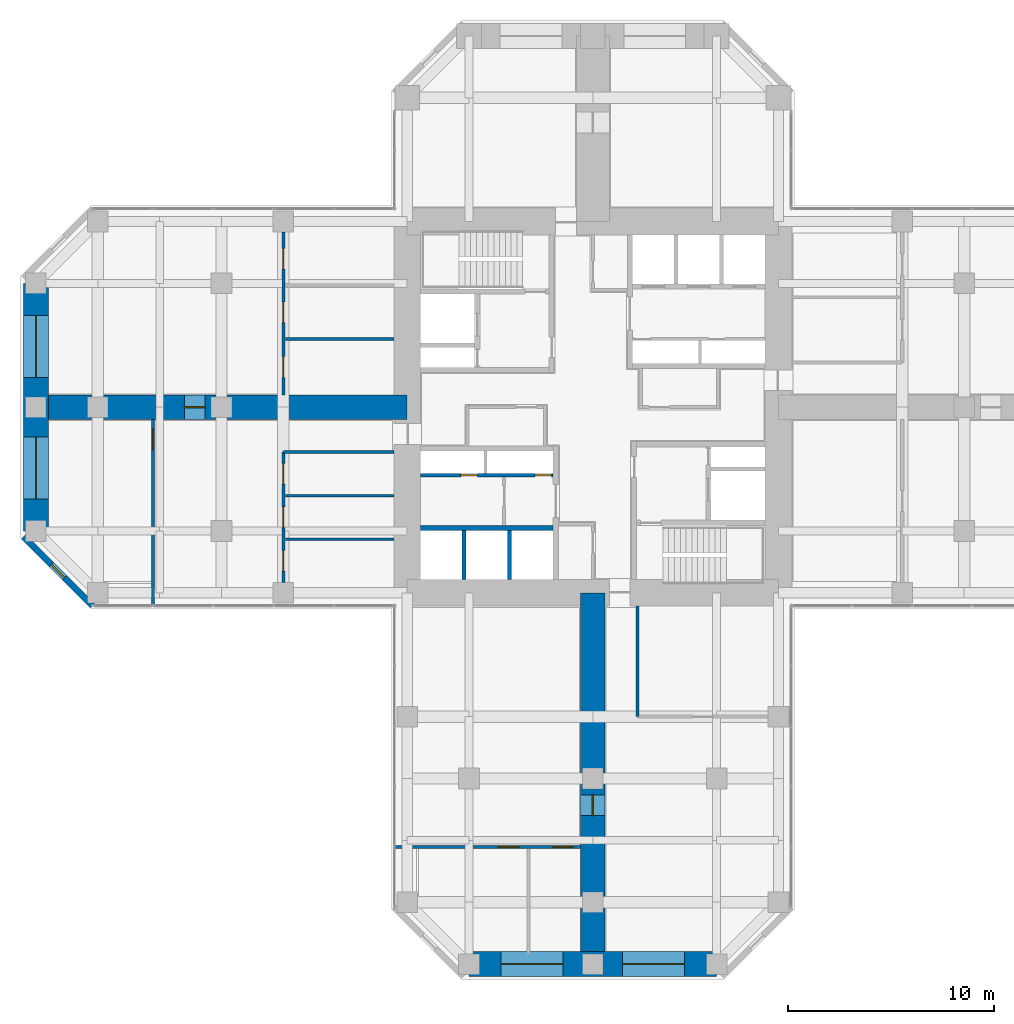
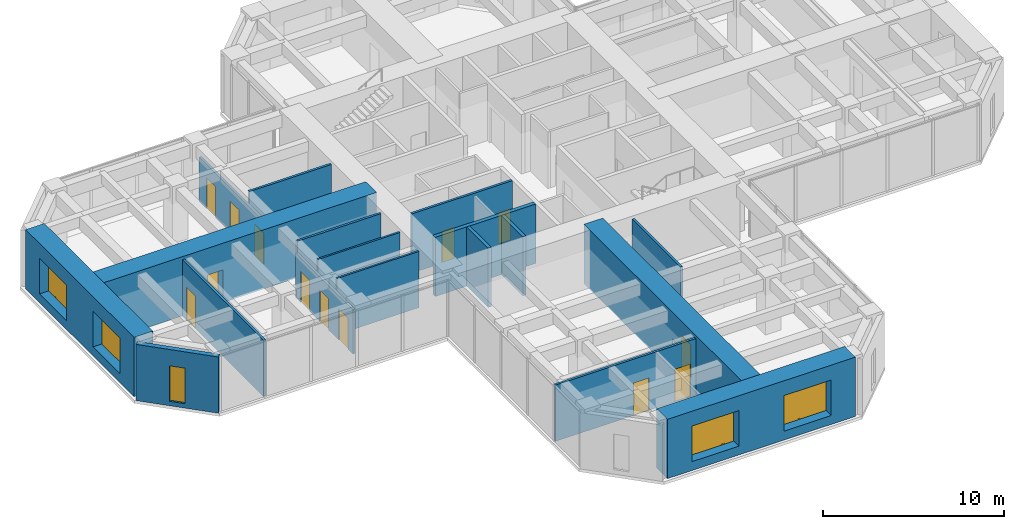
# One storey, part 8 of 12: 18 walls, 13 doors, 5 windows, 18 openings.
"""IFC4 building model written with IfcOpenShell, lengths in metres."""

import ifcopenshell
import ifcopenshell.guid

model = None  # the IFC model being written
_history = None  # IfcOwnerHistory: only IFC2X3 demands one
_inside = {}  # id of a spatial element -> (the spatial element, [elements in it])
_under = {}  # id of a project, library or spatial element -> (it, [spatial elements below it])
_declared = {}  # id of a project -> (the project, [libraries it declares])
_typed = {}  # id of a type object -> (the type object, [elements of that type])
_made_of = {}  # id of a material, layer set ... -> (it, [elements and type objects made of it])


def new_model(schema):
    """Start an empty IFC model of exactly this schema.

    Asked for "IFC4X3", IfcOpenShell would pick the latest addendum, in which some entities
    have other attributes; the version numbers below select the first issue.
    IFC2X3 requires an IfcOwnerHistory on every rooted entity: one is made here for all.
    """
    global model, _history
    if schema == "IFC4X3":
        model = ifcopenshell.file(schema_version=(4, 3, 0, 0))
    else:
        model = ifcopenshell.file(schema=schema)
    _inside.clear()
    _under.clear()
    _declared.clear()
    _typed.clear()
    _made_of.clear()
    _history = None
    if model.schema == "IFC2X3":
        org = make("IfcOrganization", Name="unknown")
        user = make(
            "IfcPersonAndOrganization",
            ThePerson=make("IfcPerson", FamilyName="unknown"),
            TheOrganization=org,
        )
        app = make(
            "IfcApplication",
            ApplicationDeveloper=org,
            Version="unknown",
            ApplicationFullName="unknown",
            ApplicationIdentifier="unknown",
        )
        _history = make(
            "IfcOwnerHistory",
            OwningUser=user,
            OwningApplication=app,
            ChangeAction="ADDED",
            CreationDate=0,
        )
    return model


def make(cls, **values):
    """One entity of the class cls with the attributes given. An attribute that is None is left unset."""
    return model.create_entity(
        cls, **{name: value for name, value in values.items() if value is not None}
    )


def rooted(cls, **values):
    """An entity with a GlobalId (a new one), such as an element, a storey or a relation."""
    return make(cls, GlobalId=ifcopenshell.guid.new(), OwnerHistory=_history, **values)


def si_unit(unit_type, name, prefix=None):
    """IfcSIUnit, for example si_unit("LENGTHUNIT", "METRE", prefix="MILLI")."""
    return make("IfcSIUnit", UnitType=unit_type, Prefix=prefix, Name=name)


def assignment(units):
    """IfcUnitAssignment: the units of a project."""
    return None if units is None else make("IfcUnitAssignment", Units=units)


def point(xyz):
    """IfcCartesianPoint."""
    return None if xyz is None else make("IfcCartesianPoint", Coordinates=xyz)


def direction(xyz):
    """IfcDirection."""
    return None if xyz is None else make("IfcDirection", DirectionRatios=xyz)


def frame(location, z_axis=None, x_axis=None):
    """IfcAxis2Placement3D, a coordinate frame: its origin and axes. An axis left out is left unset."""
    return make(
        "IfcAxis2Placement3D",
        Location=point(location),
        Axis=direction(z_axis),
        RefDirection=direction(x_axis),
    )


def frame_2d(location, x_axis=None):
    """IfcAxis2Placement2D, a coordinate frame in the plane: its origin and x axis."""
    return make(
        "IfcAxis2Placement2D", Location=point(location), RefDirection=direction(x_axis)
    )


def origin():
    """The frame at (0, 0, 0) with its axes left unset."""
    return frame((0.0, 0.0, 0.0))


def place(relative_to, where):
    """IfcLocalPlacement: puts the frame where relative to a parent placement (None: the world)."""
    return make(
        "IfcLocalPlacement", PlacementRelTo=relative_to, RelativePlacement=where
    )


def context(
    kind, dimensions, precision=None, world=None, true_north=None, identifier=None
):
    """IfcGeometricRepresentationContext, for example the 3D "Model" context."""
    return make(
        "IfcGeometricRepresentationContext",
        ContextIdentifier=identifier,
        ContextType=kind,
        CoordinateSpaceDimension=dimensions,
        Precision=precision,
        WorldCoordinateSystem=world,
        TrueNorth=true_north,
    )


def subcontext(parent, identifier, kind, view, scale=None):
    """IfcGeometricRepresentationSubContext, for example "Body" below "Model"."""
    return make(
        "IfcGeometricRepresentationSubContext",
        ContextIdentifier=identifier,
        ContextType=kind,
        ParentContext=parent,
        TargetScale=scale,
        TargetView=view,
    )


def project(units=None, contexts=None):
    """IfcProject with its units and contexts."""
    return rooted(
        "IfcProject",
        Name="project",
        RepresentationContexts=contexts,
        UnitsInContext=assignment(units),
    )


def spatial(cls, under=None, at=None, **own):
    """A site, building, storey or space (cls), placed at a placement, below another one or the project."""
    s = rooted(cls, ObjectPlacement=at, **own)
    if under is not None:
        _under.setdefault(under.id(), (under, []))[1].append(s)
    return s


def profile(cls, at=None, kind="AREA", **sizes):
    """A parametric profile (cls). Its sizes go by their IFC names, for example OverallWidth=200.0."""
    return make(cls, ProfileType=kind, Position=at, **sizes)


def rectangle(**sizes):
    """IfcRectangleProfileDef."""
    return profile("IfcRectangleProfileDef", **sizes)


def hollow_rectangle(**sizes):
    """IfcRectangleHollowProfileDef."""
    return profile("IfcRectangleHollowProfileDef", **sizes)


def extrude(swept, where, along, depth):
    """IfcExtrudedAreaSolid: the profile swept, set in the frame where, extruded along a direction by depth."""
    return make(
        "IfcExtrudedAreaSolid",
        SweptArea=swept,
        Position=where,
        ExtrudedDirection=direction(along),
        Depth=depth,
    )


def shape(context_of_items, identifier, shape_type, items):
    """IfcShapeRepresentation: the items that make up one representation, for example the "Body"."""
    return make(
        "IfcShapeRepresentation",
        ContextOfItems=context_of_items,
        RepresentationIdentifier=identifier,
        RepresentationType=shape_type,
        Items=items,
    )


def material(Name=None, Category=None):
    """IfcMaterial."""
    return make("IfcMaterial", Name=Name, Category=Category)


def layer(
    of_material, thickness, ventilated=None, Name=None, Category=None, Priority=None
):
    """IfcMaterialLayer: one layer of a wall or slab, of a material (None: an air gap)."""
    return make(
        "IfcMaterialLayer",
        Material=of_material,
        LayerThickness=thickness,
        IsVentilated=ventilated,
        Name=Name,
        Category=Category,
        Priority=Priority,
    )


def layer_set(layers, Name=None):
    """IfcMaterialLayerSet."""
    return make("IfcMaterialLayerSet", MaterialLayers=layers, LayerSetName=Name)


def constituent(of_material, Name=None, Category=None, fraction=None):
    """IfcMaterialConstituent: one of the materials an element consists of."""
    return make(
        "IfcMaterialConstituent",
        Name=Name,
        Material=of_material,
        Fraction=fraction,
        Category=Category,
    )


def constituent_set(constituents=None, Name=None):
    """IfcMaterialConstituentSet."""
    return make(
        "IfcMaterialConstituentSet", Name=Name, MaterialConstituents=constituents
    )


def made_of(thing, what):
    """Note that an element or type object is made of a material, layer set ...; save() writes the relation."""
    if what is not None:
        _made_of.setdefault(what.id(), (what, []))[1].append(thing)
    return thing


def type_object(cls, material=None, **own):
    """A type object (cls), such as IfcWallType, which elements share."""
    return made_of(rooted(cls, **own), material)


def element(
    cls,
    number,
    at=None,
    inside=None,
    cuts=None,
    type_object=None,
    material=None,
    context=None,
    identifier="Body",
    shape_type=None,
    held_by="IfcProductDefinitionShape",
    body=None,
    shapes=None,
    **own,
):
    """One element of the class cls, such as IfcWall. Its Tag is "e" and its number.

    at: its placement. inside: the storey or other place that contains it. cuts: it is an
    opening in that element (IfcRelVoidsElement). A single representation is given by context,
    identifier, shape_type and body (its items); several are given by shapes. held_by: the class
    of the entity that holds the representations. save() writes the other relations.
    """
    e = rooted(cls, Tag="e%d" % number, ObjectPlacement=at, **own)
    if body is not None:
        shapes = [shape(context, identifier, shape_type, body)]
    if shapes is not None:
        e.Representation = make(held_by, Representations=shapes)
    if inside is not None:
        _inside.setdefault(inside.id(), (inside, []))[1].append(e)
    if cuts is not None:
        rooted(
            "IfcRelVoidsElement", RelatingBuildingElement=cuts, RelatedOpeningElement=e
        )
    if type_object is not None:
        _typed.setdefault(type_object.id(), (type_object, []))[1].append(e)
    return made_of(e, material)


def fill(opening, filler):
    """IfcRelFillsElement: the door or window that sits in an opening."""
    return rooted(
        "IfcRelFillsElement",
        RelatingOpeningElement=opening,
        RelatedBuildingElement=filler,
    )


def aggregate(whole, parts):
    """IfcRelAggregates: a whole, such as a stair, and the parts it consists of."""
    return rooted("IfcRelAggregates", RelatingObject=whole, RelatedObjects=parts)


def save(model, path):
    """Write the relations noted so far, then the file.

    IfcRelAggregates (storeys below a building ...), IfcRelContainedInSpatialStructure (elements
    in a storey), IfcRelDefinesByType, IfcRelAssociatesMaterial and IfcRelDeclares: one each for
    every whole, place, type object, material and project.
    """
    for whole, parts in _under.values():
        aggregate(whole, parts)
    for where, things in _inside.values():
        rooted(
            "IfcRelContainedInSpatialStructure",
            RelatedElements=things,
            RelatingStructure=where,
        )
    for kind, things in _typed.values():
        rooted("IfcRelDefinesByType", RelatedObjects=things, RelatingType=kind)
    for what, things in _made_of.values():
        rooted("IfcRelAssociatesMaterial", RelatedObjects=things, RelatingMaterial=what)
    for by, libraries in _declared.values():
        rooted("IfcRelDeclares", RelatingContext=by, RelatedDefinitions=libraries)
    model.write(path)


model = new_model("IFC4")

# Units and contexts
model_context = context("Model", 3, precision=1e-05, world=origin(), true_north=direction((0.0, 1.0)))
body_context = subcontext(model_context, "Body", "Model", "MODEL_VIEW")
ifc_project = project(units=[si_unit("LENGTHUNIT", "METRE"), si_unit("AREAUNIT", "SQUARE_METRE"), si_unit("VOLUMEUNIT", "CUBIC_METRE"), si_unit("PLANEANGLEUNIT", "RADIAN"), si_unit("MASSUNIT", "GRAM", prefix="KILO")], contexts=[model_context])

# Site, building, storey
site_placement = place(None, origin())
site = spatial("IfcSite", under=ifc_project, at=site_placement, CompositionType="ELEMENT")
building_placement = place(site_placement, origin())
building = spatial("IfcBuilding", under=site, at=building_placement, Name="Torre Cruceta", CompositionType="ELEMENT")
storey_placement = place(building_placement, frame((0.0, 0.0, 104.5)))
storey = spatial("IfcBuildingStorey", under=building, at=storey_placement, Name="L25", CompositionType="ELEMENT", Elevation=104.5)

# Wall
ifc_material_1 = material(Name="Concrete G60 (fck 60 MPa)", Category="concrete")
ifc_layer_1 = layer(ifc_material_1, 0.25)
ifc_layer_set_1 = layer_set([ifc_layer_1], Name="Concrete G60 (fck 60 MPa)")
wall_type_1 = type_object("IfcWallType", Name="CORE INNER WALL 250 G60", PredefinedType="SHEAR", material=ifc_layer_set_1)
wall_1_placement = place(storey_placement, frame((-1.925048828125, -5.85009765625, 0.0), z_axis=(0.0, 0.0, 1.0), x_axis=(-1.0, 0.0, 0.0)))
element("IfcWall", 1, at=wall_1_placement, inside=storey, type_object=wall_type_1, Name="CW4 L25 SW-LV", PredefinedType="SHEAR", context=body_context, shape_type="SweptSolid", body=[
    extrude(rectangle(XDim=6.425048828125, YDim=0.25, at=frame_2d((3.21240234375, 0.0))), origin(), (0.0, 0.0, 1.0), 4.0),
])

# Wall, opening, window
ifc_material_2 = material(Name="Concrete G30 (fck 30 MPa)", Category="concrete")
ifc_layer_2 = layer(ifc_material_2, 0.300048828125)
ifc_layer_set_2 = layer_set([ifc_layer_2], Name="Concrete G30 (fck 30 MPa)")
wall_type_2 = type_object("IfcWallType", Name="EXPOSED CONCRETE FACADE WALL 300", PredefinedType="SOLIDWALL", material=ifc_layer_set_2)
wall_2_placement = place(storey_placement, frame((-27.60009765625, -6.27685546875, 0.0), z_axis=(0.0, 0.0, 1.0), x_axis=(0.707106781187, -0.707106781187, 0.0)))
wall_2 = element("IfcWall", 2, at=wall_2_placement, inside=storey, type_object=wall_type_2, Name="EW1 facade wall L25 W chamfer 13", PredefinedType="SOLIDWALL", context=body_context, shape_type="SweptSolid", body=[
    extrude(rectangle(XDim=4.72802734375, YDim=0.300048828125, at=frame_2d((2.364013671875, 0.0))), origin(), (0.0, 0.0, 1.0), 3.800048828125),
])
opening_1_placement = place(wall_2_placement, frame((1.9140625, 0.0, 0.300048828125)))
opening_1 = element("IfcOpeningElement", 3, at=opening_1_placement, cuts=wall_2, Name="Opening WN5", PredefinedType="OPENING", context=body_context, shape_type="SweptSolid", body=[
    extrude(rectangle(XDim=0.89990234375, YDim=2.39990234375, at=frame_2d((0.449951171875, 1.199951171875))), frame((0.0, 0.159912109375, 0.0), z_axis=(0.0, -1.0, 0.0), x_axis=(1.0, 0.0, 0.0)), (0.0, 0.0, 1.0), 0.320068359375),
])
ifc_material_3 = material(Name="Aluminium window frame", Category="aluminium")
ifc_constituent_1 = constituent(ifc_material_3, Name="Frame")
ifc_material_4 = material(Name="Laminated insulating glass unit, low-iron clear", Category="glass")
ifc_constituent_2 = constituent(ifc_material_4, Name="Glazing")
ifc_constituent_set_1 = constituent_set(constituents=[ifc_constituent_1, ifc_constituent_2], Name="Aluminium window")
window_type_1 = type_object("IfcWindowType", Name="CHAMFER SLOT WINDOW 900X2400", PartitioningType="SINGLE_PANEL", PredefinedType="WINDOW", material=ifc_constituent_set_1)
window_1_placement = place(opening_1_placement, origin())
window_1 = element("IfcWindow", 4, at=window_1_placement, inside=storey, type_object=window_type_1, Name="WN5 L25 W 1", OverallHeight=2.39990234375, OverallWidth=0.89990234375, PartitioningType="SINGLE_PANEL", PredefinedType="WINDOW", context=body_context, shape_type="SweptSolid", body=[
    extrude(hollow_rectangle(XDim=0.89990234375, YDim=2.39990234375, WallThickness=0.06005859375, at=frame_2d((0.449951171875, 1.199951171875))), frame((0.0, 0.030029296875, 0.0), z_axis=(0.0, -1.0, 0.0), x_axis=(1.0, 0.0, 0.0)), (0.0, 0.0, 1.0), 0.06005859375),
    extrude(rectangle(XDim=0.77880859375, YDim=2.27880859375, at=frame_2d((0.449951171875, 1.199951171875))), frame((0.0, 0.030029296875, 0.0), z_axis=(0.0, -1.0, 0.0), x_axis=(1.0, 0.0, 0.0)), (0.0, 0.0, 1.0), 0.06005859375),
])
fill(opening_1, window_1)

# Walls
ifc_material_5 = material(Name="Concrete G35 (fck 35 MPa)", Category="concrete")
ifc_layer_3 = layer(ifc_material_5, 0.199951171875)
ifc_layer_set_3 = layer_set([ifc_layer_3], Name="Concrete G35 (fck 35 MPa)")
wall_type_3 = type_object("IfcWallType", Name="LIFT SHAFT WALL 200", PredefinedType="PARTITIONING", material=ifc_layer_set_3)
for number, where, z_axis, x_axis, name in (
    (5, (-4.033447265625, -5.97509765625, 0.0), (0.0, 0.0, 1.0), (0.0, -1.0, 0.0), "SW1 L25 SW-LS1"),
    (6, (-6.24169921875, -5.97509765625, 0.0), (0.0, 0.0, 1.0), (0.0, -1.0, 0.0), "SW1 L25 SW-LS2"),
):
    element("IfcWall", number, at=place(storey_placement, frame(where, z_axis=z_axis, x_axis=x_axis)), inside=storey, type_object=wall_type_3, Name=name, PredefinedType="PARTITIONING", context=body_context, shape_type="SweptSolid", body=[
        extrude(rectangle(XDim=2.375, YDim=0.199951171875, at=frame_2d((1.1875, 0.0))), origin(), (0.0, 0.0, 1.0), 4.0),
    ])

# Wall, openings, windows
ifc_material_6 = material(Name="Concrete G60 (fck 60 MPa)", Category="concrete")
ifc_layer_4 = layer(ifc_material_6, 1.199951171875)
ifc_layer_set_4 = layer_set([ifc_layer_4], Name="Concrete G60 (fck 60 MPa)")
wall_type_4 = type_object("IfcWallType", Name="NOSE WALL 1200 G60", PredefinedType="SHEAR", material=ifc_layer_set_4)
wall_3_placement = place(storey_placement, frame((-6.0, -27.0, 0.0), z_axis=(0.0, 0.0, 1.0), x_axis=(1.0, 0.0, 0.0)))
wall_3 = element("IfcWall", 7, at=wall_3_placement, inside=storey, type_object=wall_type_4, Name="NW1 nose wall L25 S", PredefinedType="SHEAR", context=body_context, shape_type="SweptSolid", body=[
    extrude(rectangle(XDim=12.0, YDim=1.199951171875, at=frame_2d((6.0, 0.0))), origin(), (0.0, 0.0, 1.0), 4.0),
])
opening_2_placement = place(wall_3_placement, frame((1.550048828125, 0.0, 0.60009765625)))
opening_2 = element("IfcOpeningElement", 8, at=opening_2_placement, cuts=wall_3, Name="Opening WN6", PredefinedType="OPENING", context=body_context, shape_type="SweptSolid", body=[
    extrude(rectangle(XDim=3.0, YDim=2.39990234375, at=frame_2d((1.5, 1.199951171875))), frame((0.0, 0.60986328125, 0.0), z_axis=(0.0, -1.0, 0.0), x_axis=(1.0, 0.0, 0.0)), (0.0, 0.0, 1.0), 1.219970703125),
])
opening_3_placement = place(wall_3_placement, frame((7.449951171875, 0.0, 0.60009765625)))
opening_3 = element("IfcOpeningElement", 9, at=opening_3_placement, cuts=wall_3, Name="Opening WN6", PredefinedType="OPENING", context=body_context, shape_type="SweptSolid", body=[
    extrude(rectangle(XDim=3.0, YDim=2.39990234375, at=frame_2d((1.5, 1.199951171875))), frame((0.0, 0.60986328125, 0.0), z_axis=(0.0, -1.0, 0.0), x_axis=(1.0, 0.0, 0.0)), (0.0, 0.0, 1.0), 1.219970703125),
])
ifc_material_7 = material(Name="Aluminium window frame", Category="aluminium")
ifc_constituent_3 = constituent(ifc_material_7, Name="Frame")
ifc_material_8 = material(Name="Laminated insulating glass unit, low-iron clear", Category="glass")
ifc_constituent_4 = constituent(ifc_material_8, Name="Glazing")
ifc_constituent_set_2 = constituent_set(constituents=[ifc_constituent_3, ifc_constituent_4], Name="Aluminium window")
window_type_2 = type_object("IfcWindowType", Name="NOSE WALL WINDOW 3000X2400", PartitioningType="SINGLE_PANEL", PredefinedType="WINDOW", material=ifc_constituent_set_2)
window_2_placement = place(opening_2_placement, origin())
window_2 = element("IfcWindow", 10, at=window_2_placement, inside=storey, type_object=window_type_2, Name="WN6 L25 S 1", OverallHeight=2.39990234375, OverallWidth=3.0, PartitioningType="SINGLE_PANEL", PredefinedType="WINDOW", context=body_context, shape_type="SweptSolid", body=[
    extrude(hollow_rectangle(XDim=3.0, YDim=2.39990234375, WallThickness=0.06005859375, at=frame_2d((1.5, 1.199951171875))), frame((0.0, 0.030029296875, 0.0), z_axis=(0.0, -1.0, 0.0), x_axis=(1.0, 0.0, 0.0)), (0.0, 0.0, 1.0), 0.06005859375),
    extrude(rectangle(XDim=2.87890625, YDim=2.27880859375, at=frame_2d((1.5, 1.199951171875))), frame((0.0, 0.030029296875, 0.0), z_axis=(0.0, -1.0, 0.0), x_axis=(1.0, 0.0, 0.0)), (0.0, 0.0, 1.0), 0.06005859375),
])
fill(opening_2, window_2)
window_3_placement = place(opening_3_placement, origin())
window_3 = element("IfcWindow", 11, at=window_3_placement, inside=storey, type_object=window_type_2, Name="WN6 L25 S 2", OverallHeight=2.39990234375, OverallWidth=3.0, PartitioningType="SINGLE_PANEL", PredefinedType="WINDOW", context=body_context, shape_type="SweptSolid", body=[
    extrude(hollow_rectangle(XDim=3.0, YDim=2.39990234375, WallThickness=0.06005859375, at=frame_2d((1.5, 1.199951171875))), frame((0.0, 0.030029296875, 0.0), z_axis=(0.0, -1.0, 0.0), x_axis=(1.0, 0.0, 0.0)), (0.0, 0.0, 1.0), 0.06005859375),
    extrude(rectangle(XDim=2.87890625, YDim=2.27880859375, at=frame_2d((1.5, 1.199951171875))), frame((0.0, 0.030029296875, 0.0), z_axis=(0.0, -1.0, 0.0), x_axis=(1.0, 0.0, 0.0)), (0.0, 0.0, 1.0), 0.06005859375),
])
fill(opening_3, window_3)

wall_4_placement = place(storey_placement, frame((-27.0, 6.0, 0.0), z_axis=(0.0, 0.0, 1.0), x_axis=(0.0, -1.0, 0.0)))
wall_4 = element("IfcWall", 12, at=wall_4_placement, inside=storey, type_object=wall_type_4, Name="NW1 nose wall L25 W", PredefinedType="SHEAR", context=body_context, shape_type="SweptSolid", body=[
    extrude(rectangle(XDim=12.0, YDim=1.199951171875, at=frame_2d((6.0, 0.0))), origin(), (0.0, 0.0, 1.0), 4.0),
])
opening_4_placement = place(wall_4_placement, frame((1.550048828125, 0.0, 0.60009765625)))
opening_4 = element("IfcOpeningElement", 13, at=opening_4_placement, cuts=wall_4, Name="Opening WN6", PredefinedType="OPENING", context=body_context, shape_type="SweptSolid", body=[
    extrude(rectangle(XDim=3.0, YDim=2.39990234375, at=frame_2d((1.5, 1.199951171875))), frame((0.0, 0.60986328125, 0.0), z_axis=(0.0, -1.0, 0.0), x_axis=(1.0, 0.0, 0.0)), (0.0, 0.0, 1.0), 1.219970703125),
])
opening_5_placement = place(wall_4_placement, frame((7.449951171875, 0.0, 0.60009765625)))
opening_5 = element("IfcOpeningElement", 14, at=opening_5_placement, cuts=wall_4, Name="Opening WN6", PredefinedType="OPENING", context=body_context, shape_type="SweptSolid", body=[
    extrude(rectangle(XDim=3.0, YDim=2.39990234375, at=frame_2d((1.5, 1.199951171875))), frame((0.0, 0.60986328125, 0.0), z_axis=(0.0, -1.0, 0.0), x_axis=(1.0, 0.0, 0.0)), (0.0, 0.0, 1.0), 1.219970703125),
])
window_4_placement = place(opening_4_placement, origin())
window_4 = element("IfcWindow", 15, at=window_4_placement, inside=storey, type_object=window_type_2, Name="WN6 L25 W 1", OverallHeight=2.39990234375, OverallWidth=3.0, PartitioningType="SINGLE_PANEL", PredefinedType="WINDOW", context=body_context, shape_type="SweptSolid", body=[
    extrude(hollow_rectangle(XDim=3.0, YDim=2.39990234375, WallThickness=0.06005859375, at=frame_2d((1.5, 1.199951171875))), frame((0.0, 0.030029296875, 0.0), z_axis=(0.0, -1.0, 0.0), x_axis=(1.0, 0.0, 0.0)), (0.0, 0.0, 1.0), 0.06005859375),
    extrude(rectangle(XDim=2.87890625, YDim=2.27880859375, at=frame_2d((1.5, 1.199951171875))), frame((0.0, 0.030029296875, 0.0), z_axis=(0.0, -1.0, 0.0), x_axis=(1.0, 0.0, 0.0)), (0.0, 0.0, 1.0), 0.06005859375),
])
fill(opening_4, window_4)
window_5_placement = place(opening_5_placement, origin())
window_5 = element("IfcWindow", 16, at=window_5_placement, inside=storey, type_object=window_type_2, Name="WN6 L25 W 2", OverallHeight=2.39990234375, OverallWidth=3.0, PartitioningType="SINGLE_PANEL", PredefinedType="WINDOW", context=body_context, shape_type="SweptSolid", body=[
    extrude(hollow_rectangle(XDim=3.0, YDim=2.39990234375, WallThickness=0.06005859375, at=frame_2d((1.5, 1.199951171875))), frame((0.0, 0.030029296875, 0.0), z_axis=(0.0, -1.0, 0.0), x_axis=(1.0, 0.0, 0.0)), (0.0, 0.0, 1.0), 0.06005859375),
    extrude(rectangle(XDim=2.87890625, YDim=2.27880859375, at=frame_2d((1.5, 1.199951171875))), frame((0.0, 0.030029296875, 0.0), z_axis=(0.0, -1.0, 0.0), x_axis=(1.0, 0.0, 0.0)), (0.0, 0.0, 1.0), 0.06005859375),
])
fill(opening_5, window_5)

# Wall
ifc_material_9 = material(Name="Plasterboard on steel studs", Category="steel")
ifc_layer_5 = layer(ifc_material_9, 0.14990234375)
ifc_layer_set_5 = layer_set([ifc_layer_5], Name="Plasterboard on steel studs")
wall_type_5 = type_object("IfcWallType", Name="PARTITION 150", PredefinedType="PARTITIONING", material=ifc_layer_set_5)
wall_5_placement = place(storey_placement, frame((2.175048828125, -9.64990234375, 0.0), z_axis=(0.0, 0.0, 1.0), x_axis=(0.0, -1.0, 0.0)))
element("IfcWall", 17, at=wall_5_placement, inside=storey, type_object=wall_type_5, Name="PT1 L25-S-BSL", PredefinedType="PARTITIONING", context=body_context, shape_type="SweptSolid", body=[
    extrude(rectangle(XDim=5.35009765625, YDim=0.14990234375, at=frame_2d((2.675048828125, 0.0))), origin(), (0.0, 0.0, 1.0), 3.800048828125),
])

# Wall, openings, doors
wall_6_placement = place(storey_placement, frame((-9.580078125, -21.320068359375, 0.0), z_axis=(0.0, 0.0, 1.0), x_axis=(1.0, 0.0, 0.0)))
wall_6 = element("IfcWall", 18, at=wall_6_placement, inside=storey, type_object=wall_type_5, Name="PT1 L25-S-TWR", PredefinedType="PARTITIONING", context=body_context, shape_type="SweptSolid", body=[
    extrude(rectangle(XDim=8.97998046875, YDim=0.14990234375, at=frame_2d((4.489990234375, 0.0))), origin(), (0.0, 0.0, 1.0), 3.800048828125),
])
opening_6_placement = place(wall_6_placement, frame((4.987060546875, 0.0, 0.0)))
opening_6 = element("IfcOpeningElement", 19, at=opening_6_placement, cuts=wall_6, Name="Opening D14", PredefinedType="OPENING", context=body_context, shape_type="SweptSolid", body=[
    extrude(rectangle(XDim=1.0, YDim=2.199951171875, at=frame_2d((0.5, 1.10009765625))), frame((0.0, 0.0849609375, 0.0), z_axis=(0.0, -1.0, 0.0), x_axis=(1.0, 0.0, 0.0)), (0.0, 0.0, 1.0), 0.169921875),
])
opening_7_placement = place(wall_6_placement, frame((7.6298828125, 0.0, 0.0)))
opening_7 = element("IfcOpeningElement", 20, at=opening_7_placement, cuts=wall_6, Name="Opening D14", PredefinedType="OPENING", context=body_context, shape_type="SweptSolid", body=[
    extrude(rectangle(XDim=1.0, YDim=2.199951171875, at=frame_2d((0.5, 1.10009765625))), frame((0.0, 0.0849609375, 0.0), z_axis=(0.0, -1.0, 0.0), x_axis=(1.0, 0.0, 0.0)), (0.0, 0.0, 1.0), 0.169921875),
])
ifc_material_10 = material(Name="Steel DX51D", Category="steel")
ifc_constituent_5 = constituent(ifc_material_10, Name="Leaf and frame")
ifc_material_11 = material(Name="Polyester powder coating", Category="paint")
ifc_constituent_6 = constituent(ifc_material_11, Name="Finish")
ifc_material_12 = material(Name="Fire-resisting glass", Category="glass")
ifc_constituent_7 = constituent(ifc_material_12, Name="Vision panel")
ifc_constituent_set_3 = constituent_set(constituents=[ifc_constituent_5, ifc_constituent_6, ifc_constituent_7], Name="Steel fire door with vision panel")
door_type_1 = type_object("IfcDoorType", Name="FIRE DOOR VISION PANEL 1000X2200", OperationType="SINGLE_SWING_RIGHT", PredefinedType="DOOR", material=ifc_constituent_set_3)
door_1_placement = place(opening_6_placement, frame((1.0, 0.0, 0.0), z_axis=(0.0, 0.0, 1.0), x_axis=(-1.0, 0.0, 0.0)))
door_1 = element("IfcDoor", 21, at=door_1_placement, inside=storey, type_object=door_type_1, Name="D14 L25-S-TWR-D1", OperationType="SINGLE_SWING_LEFT", OverallHeight=2.199951171875, OverallWidth=1.0, PredefinedType="DOOR", context=body_context, shape_type="SweptSolid", body=[
    extrude(rectangle(XDim=1.0, YDim=2.199951171875, at=frame_2d((0.5, 1.10009765625))), frame((0.0, 0.025146484375, 0.0), z_axis=(0.0, -1.0, 0.0), x_axis=(1.0, 0.0, 0.0)), (0.0, 0.0, 1.0), 0.050048828125),
])
fill(opening_6, door_1)
door_2_placement = place(opening_7_placement, frame((1.0, 0.0, 0.0), z_axis=(0.0, 0.0, 1.0), x_axis=(-1.0, 0.0, 0.0)))
door_2 = element("IfcDoor", 22, at=door_2_placement, inside=storey, type_object=door_type_1, Name="D14 L25-S-TWR-D2", OperationType="SINGLE_SWING_LEFT", OverallHeight=2.199951171875, OverallWidth=1.0, PredefinedType="DOOR", context=body_context, shape_type="SweptSolid", body=[
    extrude(rectangle(XDim=1.0, YDim=2.199951171875, at=frame_2d((0.5, 1.10009765625))), frame((0.0, 0.025146484375, 0.0), z_axis=(0.0, -1.0, 0.0), x_axis=(1.0, 0.0, 0.0)), (0.0, 0.0, 1.0), 0.050048828125),
])
fill(opening_7, door_2)

wall_7_placement = place(storey_placement, frame((-15.0, -2.175048828125, 0.0), z_axis=(0.0, 0.0, 1.0), x_axis=(0.0, -1.0, 0.0)))
wall_7 = element("IfcWall", 23, at=wall_7_placement, inside=storey, type_object=wall_type_5, Name="PT1 L25-W-BFL", PredefinedType="PARTITIONING", context=body_context, shape_type="SweptSolid", body=[
    extrude(rectangle(XDim=6.324951171875, YDim=0.14990234375, at=frame_2d((3.16259765625, 0.0))), origin(), (0.0, 0.0, 1.0), 3.0),
])
opening_8_placement = place(wall_7_placement, frame((0.55419921875, 0.0, 0.0)))
opening_8 = element("IfcOpeningElement", 24, at=opening_8_placement, cuts=wall_7, Name="Opening D3", PredefinedType="OPENING", context=body_context, shape_type="SweptSolid", body=[
    extrude(rectangle(XDim=1.0, YDim=2.10009765625, at=frame_2d((0.5, 1.050048828125))), frame((0.0, 0.0849609375, 0.0), z_axis=(0.0, -1.0, 0.0), x_axis=(1.0, 0.0, 0.0)), (0.0, 0.0, 1.0), 0.169921875),
])
opening_9_placement = place(wall_7_placement, frame((2.66259765625, 0.0, 0.0)))
opening_9 = element("IfcOpeningElement", 25, at=opening_9_placement, cuts=wall_7, Name="Opening D3", PredefinedType="OPENING", context=body_context, shape_type="SweptSolid", body=[
    extrude(rectangle(XDim=1.0, YDim=2.10009765625, at=frame_2d((0.5, 1.050048828125))), frame((0.0, 0.0849609375, 0.0), z_axis=(0.0, -1.0, 0.0), x_axis=(1.0, 0.0, 0.0)), (0.0, 0.0, 1.0), 0.169921875),
])
opening_10_placement = place(wall_7_placement, frame((4.770751953125, 0.0, 0.0)))
opening_10 = element("IfcOpeningElement", 26, at=opening_10_placement, cuts=wall_7, Name="Opening D3", PredefinedType="OPENING", context=body_context, shape_type="SweptSolid", body=[
    extrude(rectangle(XDim=1.0, YDim=2.10009765625, at=frame_2d((0.5, 1.050048828125))), frame((0.0, 0.0849609375, 0.0), z_axis=(0.0, -1.0, 0.0), x_axis=(1.0, 0.0, 0.0)), (0.0, 0.0, 1.0), 0.169921875),
])
ifc_material_13 = material(Name="Steel DX51D", Category="steel")
ifc_constituent_8 = constituent(ifc_material_13, Name="Leaf and frame")
ifc_material_14 = material(Name="Polyester powder coating", Category="paint")
ifc_constituent_9 = constituent(ifc_material_14, Name="Finish")
ifc_constituent_set_4 = constituent_set(constituents=[ifc_constituent_8, ifc_constituent_9], Name="Steel fire door")
door_type_2 = type_object("IfcDoorType", Name="FIRE DOOR 1000X2100", OperationType="SINGLE_SWING_LEFT", PredefinedType="DOOR", material=ifc_constituent_set_4)
door_3_placement = place(opening_8_placement, origin())
door_3 = element("IfcDoor", 27, at=door_3_placement, inside=storey, type_object=door_type_2, Name="D3 L25-W-BFL-D1", OperationType="SINGLE_SWING_LEFT", OverallHeight=2.10009765625, OverallWidth=1.0, PredefinedType="DOOR", context=body_context, shape_type="SweptSolid", body=[
    extrude(rectangle(XDim=1.0, YDim=2.10009765625, at=frame_2d((0.5, 1.050048828125))), frame((0.0, 0.02490234375, 0.0), z_axis=(0.0, -1.0, 0.0), x_axis=(1.0, 0.0, 0.0)), (0.0, 0.0, 1.0), 0.050048828125),
])
fill(opening_8, door_3)
door_4_placement = place(opening_9_placement, origin())
door_4 = element("IfcDoor", 28, at=door_4_placement, inside=storey, type_object=door_type_2, Name="D3 L25-W-BFL-D2", OperationType="SINGLE_SWING_LEFT", OverallHeight=2.10009765625, OverallWidth=1.0, PredefinedType="DOOR", context=body_context, shape_type="SweptSolid", body=[
    extrude(rectangle(XDim=1.0, YDim=2.10009765625, at=frame_2d((0.5, 1.050048828125))), frame((0.0, 0.02490234375, 0.0), z_axis=(0.0, -1.0, 0.0), x_axis=(1.0, 0.0, 0.0)), (0.0, 0.0, 1.0), 0.050048828125),
])
fill(opening_9, door_4)
door_5_placement = place(opening_10_placement, origin())
door_5 = element("IfcDoor", 29, at=door_5_placement, inside=storey, type_object=door_type_2, Name="D3 L25-W-BFL-D3", OperationType="SINGLE_SWING_LEFT", OverallHeight=2.10009765625, OverallWidth=1.0, PredefinedType="DOOR", context=body_context, shape_type="SweptSolid", body=[
    extrude(rectangle(XDim=1.0, YDim=2.10009765625, at=frame_2d((0.5, 1.050048828125))), frame((0.0, 0.02490234375, 0.0), z_axis=(0.0, -1.0, 0.0), x_axis=(1.0, 0.0, 0.0)), (0.0, 0.0, 1.0), 0.050048828125),
])
fill(opening_10, door_5)

# Wall
wall_8_placement = place(storey_placement, frame((-9.64990234375, -2.175048828125, 0.0), z_axis=(0.0, 0.0, 1.0), x_axis=(-1.0, 0.0, 0.0)))
element("IfcWall", 30, at=wall_8_placement, inside=storey, type_object=wall_type_5, Name="PT1 L25-W-BSL", PredefinedType="PARTITIONING", context=body_context, shape_type="SweptSolid", body=[
    extrude(rectangle(XDim=5.35009765625, YDim=0.14990234375, at=frame_2d((2.675048828125, 0.0))), origin(), (0.0, 0.0, 1.0), 3.800048828125),
])

# Wall, openings, doors
wall_9_placement = place(storey_placement, frame((-15.0, 8.5, 0.0), z_axis=(0.0, 0.0, 1.0), x_axis=(0.0, -1.0, 0.0)))
wall_9 = element("IfcWall", 31, at=wall_9_placement, inside=storey, type_object=wall_type_5, Name="PT1 L25-W-BFR", PredefinedType="PARTITIONING", context=body_context, shape_type="SweptSolid", body=[
    extrude(rectangle(XDim=7.89990234375, YDim=0.14990234375, at=frame_2d((3.949951171875, 0.0))), origin(), (0.0, 0.0, 1.0), 3.0),
])
opening_11_placement = place(wall_9_placement, frame((0.800048828125, 0.0, 0.0)))
opening_11 = element("IfcOpeningElement", 32, at=opening_11_placement, cuts=wall_9, Name="Opening D3", PredefinedType="OPENING", context=body_context, shape_type="SweptSolid", body=[
    extrude(rectangle(XDim=1.0, YDim=2.10009765625, at=frame_2d((0.5, 1.050048828125))), frame((0.0, 0.0849609375, 0.0), z_axis=(0.0, -1.0, 0.0), x_axis=(1.0, 0.0, 0.0)), (0.0, 0.0, 1.0), 0.169921875),
])
opening_12_placement = place(wall_9_placement, frame((3.39990234375, 0.0, 0.0)))
opening_12 = element("IfcOpeningElement", 33, at=opening_12_placement, cuts=wall_9, Name="Opening D3", PredefinedType="OPENING", context=body_context, shape_type="SweptSolid", body=[
    extrude(rectangle(XDim=1.0, YDim=2.10009765625, at=frame_2d((0.5, 1.050048828125))), frame((0.0, 0.0849609375, 0.0), z_axis=(0.0, -1.0, 0.0), x_axis=(1.0, 0.0, 0.0)), (0.0, 0.0, 1.0), 0.169921875),
])
opening_13_placement = place(wall_9_placement, frame((6.050048828125, 0.0, 0.0)))
opening_13 = element("IfcOpeningElement", 34, at=opening_13_placement, cuts=wall_9, Name="Opening D3", PredefinedType="OPENING", context=body_context, shape_type="SweptSolid", body=[
    extrude(rectangle(XDim=1.0, YDim=2.10009765625, at=frame_2d((0.5, 1.050048828125))), frame((0.0, 0.0849609375, 0.0), z_axis=(0.0, -1.0, 0.0), x_axis=(1.0, 0.0, 0.0)), (0.0, 0.0, 1.0), 0.169921875),
])
door_6_placement = place(opening_11_placement, origin())
door_6 = element("IfcDoor", 35, at=door_6_placement, inside=storey, type_object=door_type_2, Name="D3 L25-W-BFR-D1", OperationType="SINGLE_SWING_RIGHT", OverallHeight=2.10009765625, OverallWidth=1.0, PredefinedType="DOOR", context=body_context, shape_type="SweptSolid", body=[
    extrude(rectangle(XDim=1.0, YDim=2.10009765625, at=frame_2d((0.5, 1.050048828125))), frame((0.0, 0.02490234375, 0.0), z_axis=(0.0, -1.0, 0.0), x_axis=(1.0, 0.0, 0.0)), (0.0, 0.0, 1.0), 0.050048828125),
])
fill(opening_11, door_6)
door_7_placement = place(opening_12_placement, origin())
door_7 = element("IfcDoor", 36, at=door_7_placement, inside=storey, type_object=door_type_2, Name="D3 L25-W-BFR-D2", OperationType="SINGLE_SWING_LEFT", OverallHeight=2.10009765625, OverallWidth=1.0, PredefinedType="DOOR", context=body_context, shape_type="SweptSolid", body=[
    extrude(rectangle(XDim=1.0, YDim=2.10009765625, at=frame_2d((0.5, 1.050048828125))), frame((0.0, 0.02490234375, 0.0), z_axis=(0.0, -1.0, 0.0), x_axis=(1.0, 0.0, 0.0)), (0.0, 0.0, 1.0), 0.050048828125),
])
fill(opening_12, door_7)
door_8_placement = place(opening_13_placement, origin())
door_8 = element("IfcDoor", 37, at=door_8_placement, inside=storey, type_object=door_type_2, Name="D3 L25-W-BFR-D3", OperationType="SINGLE_SWING_LEFT", OverallHeight=2.10009765625, OverallWidth=1.0, PredefinedType="DOOR", context=body_context, shape_type="SweptSolid", body=[
    extrude(rectangle(XDim=1.0, YDim=2.10009765625, at=frame_2d((0.5, 1.050048828125))), frame((0.0, 0.02490234375, 0.0), z_axis=(0.0, -1.0, 0.0), x_axis=(1.0, 0.0, 0.0)), (0.0, 0.0, 1.0), 0.050048828125),
])
fill(opening_13, door_8)

# Wall
wall_10_placement = place(storey_placement, frame((-9.64990234375, 3.300048828125, 0.0), z_axis=(0.0, 0.0, 1.0), x_axis=(-1.0, 0.0, 0.0)))
element("IfcWall", 38, at=wall_10_placement, inside=storey, type_object=wall_type_5, Name="PT1 L25-W-BDR1", PredefinedType="PARTITIONING", context=body_context, shape_type="SweptSolid", body=[
    extrude(rectangle(XDim=5.25, YDim=0.14990234375, at=frame_2d((2.625, 0.0))), origin(), (0.0, 0.0, 1.0), 3.800048828125),
])

# Wall, opening, door
wall_11_placement = place(storey_placement, frame((-21.320068359375, -0.60009765625, 0.0), z_axis=(0.0, 0.0, 1.0), x_axis=(0.0, -1.0, 0.0)))
wall_11 = element("IfcWall", 39, at=wall_11_placement, inside=storey, type_object=wall_type_5, Name="PT1 L25-W-TWL", PredefinedType="PARTITIONING", context=body_context, shape_type="SweptSolid", body=[
    extrude(rectangle(XDim=8.97998046875, YDim=0.14990234375, at=frame_2d((4.489990234375, 0.0))), origin(), (0.0, 0.0, 1.0), 3.800048828125),
])
opening_14_placement = place(wall_11_placement, frame((0.449951171875, 0.0, 0.0)))
opening_14 = element("IfcOpeningElement", 40, at=opening_14_placement, cuts=wall_11, Name="Opening D14", PredefinedType="OPENING", context=body_context, shape_type="SweptSolid", body=[
    extrude(rectangle(XDim=1.0, YDim=2.199951171875, at=frame_2d((0.5, 1.10009765625))), frame((0.0, 0.0849609375, 0.0), z_axis=(0.0, -1.0, 0.0), x_axis=(1.0, 0.0, 0.0)), (0.0, 0.0, 1.0), 0.169921875),
])
door_9_placement = place(opening_14_placement, frame((1.0, 0.0, 0.0), z_axis=(0.0, 0.0, 1.0), x_axis=(-1.0, 0.0, 0.0)))
door_9 = element("IfcDoor", 41, at=door_9_placement, inside=storey, type_object=door_type_1, Name="D14 L25-W-TWL-D1", OperationType="SINGLE_SWING_RIGHT", OverallHeight=2.199951171875, OverallWidth=1.0, PredefinedType="DOOR", context=body_context, shape_type="SweptSolid", body=[
    extrude(rectangle(XDim=1.0, YDim=2.199951171875, at=frame_2d((0.5, 1.10009765625))), frame((0.0, 0.025146484375, 0.0), z_axis=(0.0, -1.0, 0.0), x_axis=(1.0, 0.0, 0.0)), (0.0, 0.0, 1.0), 0.050048828125),
])
fill(opening_14, door_9)

# Wall, openings, doors
ifc_material_15 = material(Name="Concrete block masonry", Category="masonry")
ifc_layer_6 = layer(ifc_material_15, 0.14990234375)
ifc_layer_set_6 = layer_set([ifc_layer_6], Name="Concrete block masonry")
wall_type_6 = type_object("IfcWallType", Name="RISER WALL 150", PredefinedType="PARTITIONING", material=ifc_layer_set_6)
wall_12_placement = place(storey_placement, frame((-1.925048828125, -3.300048828125, 0.0), z_axis=(0.0, 0.0, 1.0), x_axis=(-1.0, 0.0, 0.0)))
wall_12 = element("IfcWall", 42, at=wall_12_placement, inside=storey, type_object=wall_type_6, Name="SW7 L25 SW-RV", PredefinedType="PARTITIONING", context=body_context, shape_type="SweptSolid", body=[
    extrude(rectangle(XDim=6.425048828125, YDim=0.14990234375, at=frame_2d((3.21240234375, 0.0))), origin(), (0.0, 0.0, 1.0), 4.0),
])
opening_15_placement = place(wall_12_placement, frame((0.074951171875, 0.0, 0.0)))
opening_15 = element("IfcOpeningElement", 43, at=opening_15_placement, cuts=wall_12, Name="Opening D5", PredefinedType="OPENING", context=body_context, shape_type="SweptSolid", body=[
    extrude(rectangle(XDim=0.800048828125, YDim=2.10009765625, at=frame_2d((0.39990234375, 1.050048828125))), frame((0.0, 0.0849609375, 0.0), z_axis=(0.0, -1.0, 0.0), x_axis=(1.0, 0.0, 0.0)), (0.0, 0.0, 1.0), 0.169921875),
])
opening_16_placement = place(wall_12_placement, frame((3.675048828125, 0.0, 0.0)))
opening_16 = element("IfcOpeningElement", 44, at=opening_16_placement, cuts=wall_12, Name="Opening D5", PredefinedType="OPENING", context=body_context, shape_type="SweptSolid", body=[
    extrude(rectangle(XDim=0.800048828125, YDim=2.10009765625, at=frame_2d((0.39990234375, 1.050048828125))), frame((0.0, 0.0849609375, 0.0), z_axis=(0.0, -1.0, 0.0), x_axis=(1.0, 0.0, 0.0)), (0.0, 0.0, 1.0), 0.169921875),
])
ifc_material_16 = material(Name="Steel DX51D", Category="steel")
ifc_constituent_10 = constituent(ifc_material_16, Name="Leaf and frame")
ifc_material_17 = material(Name="Polyester powder coating", Category="paint")
ifc_constituent_11 = constituent(ifc_material_17, Name="Finish")
ifc_constituent_set_5 = constituent_set(constituents=[ifc_constituent_10, ifc_constituent_11], Name="Steel fire door")
door_type_3 = type_object("IfcDoorType", Name="RISER ACCESS DOOR 800X2100", OperationType="SINGLE_SWING_LEFT", PredefinedType="DOOR", material=ifc_constituent_set_5)
door_10_placement = place(opening_15_placement, frame((0.800048828125, 0.0, 0.0), z_axis=(0.0, 0.0, 1.0), x_axis=(-1.0, 0.0, 0.0)))
door_10 = element("IfcDoor", 45, at=door_10_placement, inside=storey, type_object=door_type_3, Name="D5 L25 SW-RISER1", OperationType="SINGLE_SWING_RIGHT", OverallHeight=2.10009765625, OverallWidth=0.800048828125, PredefinedType="DOOR", context=body_context, shape_type="SweptSolid", body=[
    extrude(rectangle(XDim=0.800048828125, YDim=2.10009765625, at=frame_2d((0.400146484375, 1.050048828125))), frame((0.0, 0.025146484375, 0.0), z_axis=(0.0, -1.0, 0.0), x_axis=(1.0, 0.0, 0.0)), (0.0, 0.0, 1.0), 0.050048828125),
])
fill(opening_15, door_10)
door_11_placement = place(opening_16_placement, frame((0.800048828125, 0.0, 0.0), z_axis=(0.0, 0.0, 1.0), x_axis=(-1.0, 0.0, 0.0)))
door_11 = element("IfcDoor", 46, at=door_11_placement, inside=storey, type_object=door_type_3, Name="D5 L25 SW-RISER2", OperationType="SINGLE_SWING_RIGHT", OverallHeight=2.10009765625, OverallWidth=0.800048828125, PredefinedType="DOOR", context=body_context, shape_type="SweptSolid", body=[
    extrude(rectangle(XDim=0.800048828125, YDim=2.10009765625, at=frame_2d((0.400146484375, 1.050048828125))), frame((0.0, 0.025146484375, 0.0), z_axis=(0.0, -1.0, 0.0), x_axis=(1.0, 0.0, 0.0)), (0.0, 0.0, 1.0), 0.050048828125),
])
fill(opening_16, door_11)

# Wall, opening, door
ifc_material_18 = material(Name="Concrete G60 (fck 60 MPa)", Category="concrete")
ifc_layer_7 = layer(ifc_material_18, 1.199951171875)
ifc_layer_set_7 = layer_set([ifc_layer_7], Name="Concrete G60 (fck 60 MPa)")
wall_type_7 = type_object("IfcWallType", Name="SPINE WALL 1200 G60", PredefinedType="SHEAR", material=ifc_layer_set_7)
wall_13_placement = place(storey_placement, frame((0.0, -9.0, 0.0), z_axis=(0.0, 0.0, 1.0), x_axis=(0.0, -1.0, 0.0)))
wall_13 = element("IfcWall", 47, at=wall_13_placement, inside=storey, type_object=wall_type_7, Name="SW3 spine wall L25 S", PredefinedType="SHEAR", context=body_context, shape_type="SweptSolid", body=[
    extrude(rectangle(XDim=18.0, YDim=1.199951171875, at=frame_2d((9.0, 0.0))), origin(), (0.0, 0.0, 1.0), 4.0),
])
opening_17_placement = place(wall_13_placement, frame((9.800048828125, 0.0, 0.0)))
opening_17 = element("IfcOpeningElement", 48, at=opening_17_placement, cuts=wall_13, Name="Opening D14", PredefinedType="OPENING", context=body_context, shape_type="SweptSolid", body=[
    extrude(rectangle(XDim=1.0, YDim=2.199951171875, at=frame_2d((0.5, 1.10009765625))), frame((0.0, 0.60986328125, 0.0), z_axis=(0.0, -1.0, 0.0), x_axis=(1.0, 0.0, 0.0)), (0.0, 0.0, 1.0), 1.219970703125),
])
door_12_placement = place(opening_17_placement, frame((1.0, 0.0, 0.0), z_axis=(0.0, 0.0, 1.0), x_axis=(-1.0, 0.0, 0.0)))
door_12 = element("IfcDoor", 49, at=door_12_placement, inside=storey, type_object=door_type_1, Name="D14 L25-S-SP1", OperationType="SINGLE_SWING_LEFT", OverallHeight=2.199951171875, OverallWidth=1.0, PredefinedType="DOOR", context=body_context, shape_type="SweptSolid", body=[
    extrude(rectangle(XDim=1.0, YDim=2.199951171875, at=frame_2d((0.5, 1.10009765625))), frame((0.0, 0.025146484375, 0.0), z_axis=(0.0, -1.0, 0.0), x_axis=(1.0, 0.0, 0.0)), (0.0, 0.0, 1.0), 0.050048828125),
])
fill(opening_17, door_12)

wall_14_placement = place(storey_placement, frame((-9.0, 0.0, 0.0), z_axis=(0.0, 0.0, 1.0), x_axis=(-1.0, 0.0, 0.0)))
wall_14 = element("IfcWall", 50, at=wall_14_placement, inside=storey, type_object=wall_type_7, Name="SW3 spine wall L25 W", PredefinedType="SHEAR", context=body_context, shape_type="SweptSolid", body=[
    extrude(rectangle(XDim=18.0, YDim=1.199951171875, at=frame_2d((9.0, 0.0))), origin(), (0.0, 0.0, 1.0), 4.0),
])
opening_18_placement = place(wall_14_placement, frame((9.800048828125, 0.0, 0.0)))
opening_18 = element("IfcOpeningElement", 51, at=opening_18_placement, cuts=wall_14, Name="Opening D14", PredefinedType="OPENING", context=body_context, shape_type="SweptSolid", body=[
    extrude(rectangle(XDim=1.0, YDim=2.199951171875, at=frame_2d((0.5, 1.10009765625))), frame((0.0, 0.60986328125, 0.0), z_axis=(0.0, -1.0, 0.0), x_axis=(1.0, 0.0, 0.0)), (0.0, 0.0, 1.0), 1.219970703125),
])
door_13_placement = place(opening_18_placement, origin())
door_13 = element("IfcDoor", 52, at=door_13_placement, inside=storey, type_object=door_type_1, Name="D14 L25-W-SP1", OperationType="SINGLE_SWING_RIGHT", OverallHeight=2.199951171875, OverallWidth=1.0, PredefinedType="DOOR", context=body_context, shape_type="SweptSolid", body=[
    extrude(rectangle(XDim=1.0, YDim=2.199951171875, at=frame_2d((0.5, 1.10009765625))), frame((0.0, 0.02490234375, 0.0), z_axis=(0.0, -1.0, 0.0), x_axis=(1.0, 0.0, 0.0)), (0.0, 0.0, 1.0), 0.050048828125),
])
fill(opening_18, door_13)

# Walls
ifc_material_19 = material(Name="Plasterboard on steel studs", Category="steel")
ifc_layer_8 = layer(ifc_material_19, 0.1201171875)
ifc_layer_set_8 = layer_set([ifc_layer_8], Name="Plasterboard on steel studs")
wall_type_8 = type_object("IfcWallType", Name="WC PARTITION 120", PredefinedType="PLUMBINGWALL", material=ifc_layer_set_8)
for number, where, z_axis, x_axis, name in (
    (53, (-9.64990234375, -4.283447265625, 0.0), (0.0, 0.0, 1.0), (-1.0, 0.0, 0.0), "PT5 L25-W-BDL1"),
    (54, (-9.64990234375, -6.3916015625, 0.0), (0.0, 0.0, 1.0), (-1.0, 0.0, 0.0), "PT5 L25-W-BDL2"),
):
    element("IfcWall", number, at=place(storey_placement, frame(where, z_axis=z_axis, x_axis=x_axis)), inside=storey, type_object=wall_type_8, Name=name, PredefinedType="PLUMBINGWALL", context=body_context, shape_type="SweptSolid", body=[
        extrude(rectangle(XDim=5.25, YDim=0.1201171875, at=frame_2d((2.625, 0.0))), origin(), (0.0, 0.0, 1.0), 3.800048828125),
    ])

save(model, "model.ifc")
